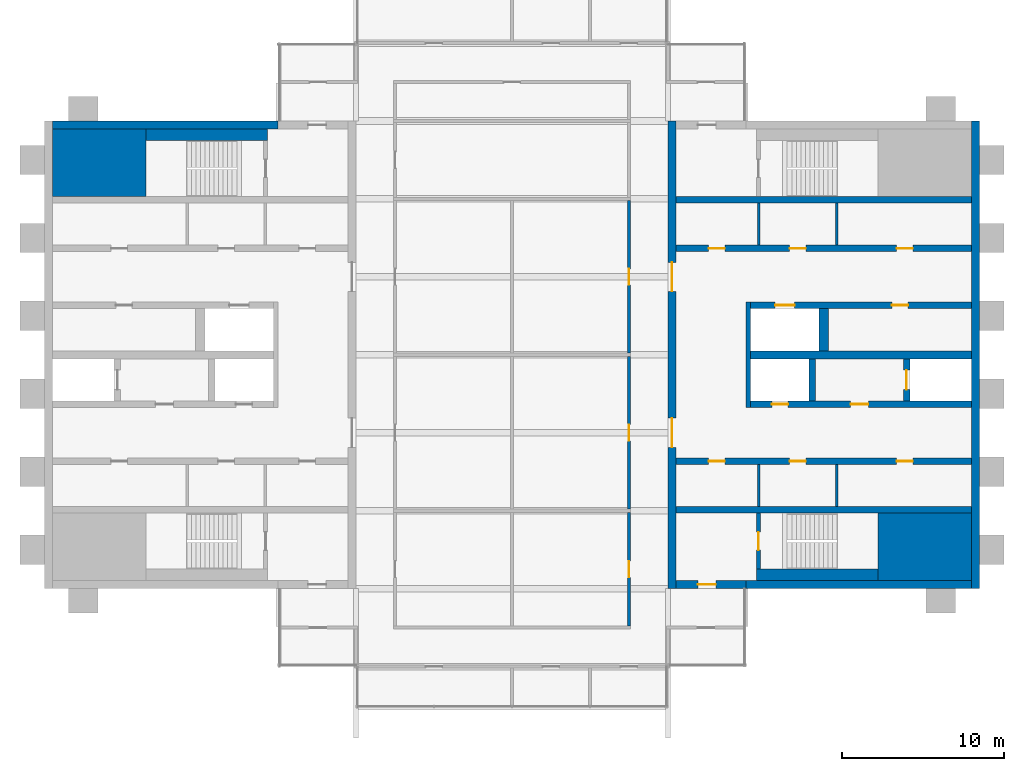
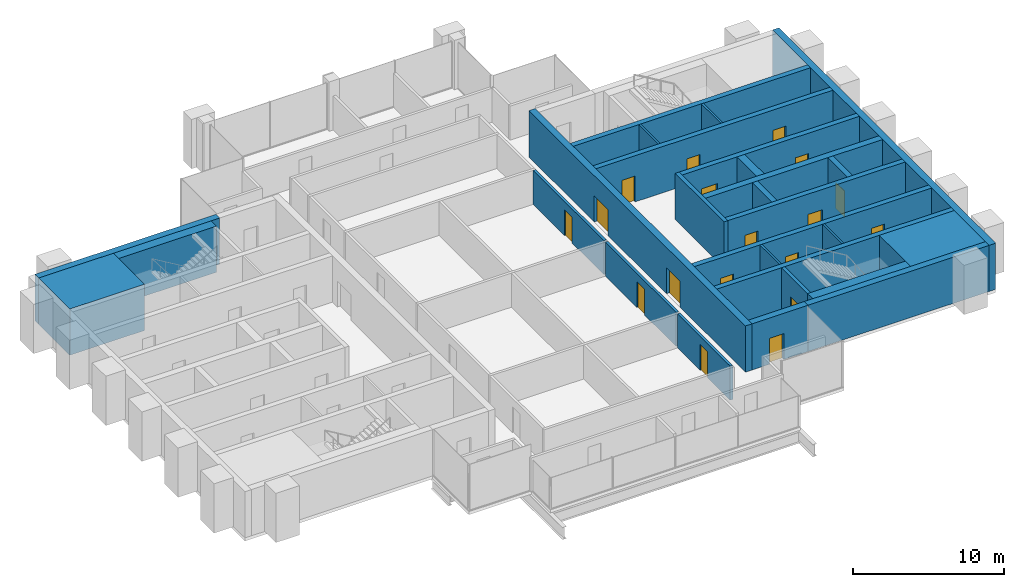
# One storey, part 9 of 12: 28 walls, 18 doors, 18 openings.
"""IFC4 building model written with IfcOpenShell, lengths in metres."""

from ifc_helpers import new_model, si_unit, direction, frame, frame_2d, origin, place, context, subcontext, project, spatial, rectangle, extrude, material, layer, layer_set, type_object, element, fill, save


model = new_model("IFC4")

# Units and contexts
model_context = context("Model", 3, precision=1e-05, world=origin(), true_north=direction((0.0, 1.0)))
body_context = subcontext(model_context, "Body", "Model", "MODEL_VIEW")
ifc_project = project(units=[si_unit("LENGTHUNIT", "METRE"), si_unit("AREAUNIT", "SQUARE_METRE"), si_unit("VOLUMEUNIT", "CUBIC_METRE"), si_unit("PLANEANGLEUNIT", "RADIAN"), si_unit("MASSUNIT", "GRAM", prefix="KILO")], contexts=[model_context])

# Site, building, storey
site_placement = place(None, origin())
site = spatial("IfcSite", under=ifc_project, at=site_placement, CompositionType="ELEMENT")
building_placement = place(site_placement, origin())
building = spatial("IfcBuilding", under=site, at=building_placement, Name="Baori Bourse Tower", CompositionType="ELEMENT")
storey_placement = place(building_placement, frame((0.0, 0.0, 362.300048828125)))
storey = spatial("IfcBuildingStorey", under=building, at=storey_placement, Name="L81", CompositionType="ELEMENT", Elevation=362.300048828125)

# Walls
ifc_material_1 = material(Name="Concrete f'c 40 MPa", Category="concrete")
wall_type_1 = type_object("IfcWallType", Name="Core corner block f'c 40", PredefinedType="SHEAR", material=ifc_material_1)
for number, where, z_axis, x_axis, name in (
    (1, (0.5, 35.824951171875, 0.0), (0.0, 0.0, 1.0), (1.0, 0.0, 0.0), "Core wall W23"),
    (2, (51.35009765625, 12.175048828125, 0.0), (0.0, 0.0, 1.0), (1.0, 0.0, 0.0), "Core wall E05"),
):
    element("IfcWall", number, at=place(storey_placement, frame(where, z_axis=z_axis, x_axis=x_axis)), inside=storey, type_object=wall_type_1, Name=name, PredefinedType="SHEAR", context=body_context, shape_type="SweptSolid", body=[
        extrude(rectangle(XDim=5.75, YDim=4.14990234375, at=frame_2d((2.875, 0.0))), origin(), (0.0, 0.0, 1.0), 3.75),
    ])
ifc_material_2 = material(Name="Blockwork partition", Category="masonry")
ifc_layer_1 = layer(ifc_material_2, 0.14990234375)
ifc_layer_set_1 = layer_set([ifc_layer_1], Name="Core partition 150")
wall_type_2 = type_object("IfcWallType", Name="Core partition 150", PredefinedType="PARTITIONING", material=ifc_layer_set_1)
for number, where, z_axis, x_axis, name in (
    (3, (48.800048828125, 14.64990234375, 0.0), (0.0, 0.0, 1.0), (0.0, 1.0, 0.0), "Partition wall E09"),
    (4, (44.0, 14.64990234375, 0.0), (0.0, 0.0, 1.0), (0.0, 1.0, 0.0), "Partition wall E10"),
    (5, (48.800048828125, 30.75, 0.0), (0.0, 0.0, 1.0), (0.0, 1.0, 0.0), "Partition wall E20"),
    (6, (44.0, 30.75, 0.0), (0.0, 0.0, 1.0), (0.0, 1.0, 0.0), "Partition wall E21"),
):
    element("IfcWall", number, at=place(storey_placement, frame(where, z_axis=z_axis, x_axis=x_axis)), inside=storey, type_object=wall_type_2, Name=name, PredefinedType="PARTITIONING", context=body_context, shape_type="SweptSolid", body=[
        extrude(rectangle(XDim=2.60009765625, YDim=0.14990234375, at=frame_2d((1.300048828125, 0.0))), origin(), (0.0, 0.0, 1.0), 3.75),
    ])
ifc_material_3 = material(Name="Concrete f'c 40 MPa", Category="concrete")
ifc_layer_2 = layer(ifc_material_3, 0.5)
ifc_layer_set_2 = layer_set([ifc_layer_2], Name="Core wall 500 f'c 40")
wall_type_3 = type_object("IfcWallType", Name="Core wall 500 f'c 40", PredefinedType="SHEAR", material=ifc_layer_set_2)
wall_1_placement = place(storey_placement, frame((0.5, 38.14990234375, 0.0), z_axis=(0.0, 0.0, 1.0), x_axis=(1.0, 0.0, 0.0)))
element("IfcWall", 7, at=wall_1_placement, inside=storey, type_object=wall_type_3, Name="Core wall W26", PredefinedType="SHEAR", context=body_context, shape_type="SweptSolid", body=[
    extrude(rectangle(XDim=13.89990234375, YDim=0.5, at=frame_2d((6.949951171875, 0.0))), origin(), (0.0, 0.0, 1.0), 3.75),
])
wall_2_placement = place(storey_placement, frame((57.35009765625, 38.39990234375, 0.0), z_axis=(0.0, 0.0, 1.0), x_axis=(0.0, -1.0, 0.0)))
element("IfcWall", 8, at=wall_2_placement, inside=storey, type_object=wall_type_3, Name="Core wall E01", PredefinedType="SHEAR", context=body_context, shape_type="SweptSolid", body=[
    extrude(rectangle(XDim=28.7998046875, YDim=0.5, at=frame_2d((14.39990234375, 0.0))), origin(), (0.0, 0.0, 1.0), 3.75),
])
wall_3_placement = place(storey_placement, frame((57.10009765625, 9.85009765625, 0.0), z_axis=(0.0, 0.0, 1.0), x_axis=(-1.0, 0.0, 0.0)))
element("IfcWall", 9, at=wall_3_placement, inside=storey, type_object=wall_type_3, Name="Core wall E02", PredefinedType="SHEAR", context=body_context, shape_type="SweptSolid", body=[
    extrude(rectangle(XDim=13.900146484375, YDim=0.5, at=frame_2d((6.9501953125, 0.0))), origin(), (0.0, 0.0, 1.0), 3.75),
])

# Wall, opening, door
wall_4_placement = place(storey_placement, frame((43.199951171875, 9.85009765625, 0.0), z_axis=(0.0, 0.0, 1.0), x_axis=(-1.0, 0.0, 0.0)))
wall_4 = element("IfcWall", 10, at=wall_4_placement, inside=storey, type_object=wall_type_3, Name="Core wall E03", PredefinedType="SHEAR", context=body_context, shape_type="SweptSolid", body=[
    extrude(rectangle(XDim=4.300048828125, YDim=0.5, at=frame_2d((2.14990234375, 0.0))), origin(), (0.0, 0.0, 1.0), 3.75),
])
opening_1_placement = place(wall_4_placement, frame((1.85009765625, 0.0, 0.0)))
opening_1 = element("IfcOpeningElement", 11, at=opening_1_placement, cuts=wall_4, Name="Opening L81-D202", PredefinedType="OPENING", context=body_context, shape_type="SweptSolid", body=[
    extrude(rectangle(XDim=1.10009765625, YDim=2.10009765625, at=frame_2d((0.550048828125, 1.050048828125))), frame((0.0, 0.260009765625, 0.0), z_axis=(0.0, -1.0, 0.0), x_axis=(1.0, 0.0, 0.0)), (0.0, 0.0, 1.0), 0.52001953125),
])
ifc_material_4 = material(Name="Painted steel door", Category="steel")
door_type_1 = type_object("IfcDoorType", Name="Stair door 1100", OperationType="SINGLE_SWING_LEFT", PredefinedType="DOOR", material=ifc_material_4)
door_1_placement = place(opening_1_placement, origin())
door_1 = element("IfcDoor", 12, at=door_1_placement, inside=storey, type_object=door_type_1, Name="Stair vestibule door A E L81", OperationType="SINGLE_SWING_LEFT", OverallHeight=2.10009765625, OverallWidth=1.10009765625, PredefinedType="DOOR", context=body_context, shape_type="SweptSolid", body=[
    extrude(rectangle(XDim=1.10009765625, YDim=2.10009765625, at=frame_2d((0.550048828125, 1.050048828125))), frame((0.0, 0.02490234375, 0.0), z_axis=(0.0, -1.0, 0.0), x_axis=(1.0, 0.0, 0.0)), (0.0, 0.0, 1.0), 0.050048828125),
])
fill(opening_1, door_1)

# Wall, openings, doors
wall_5_placement = place(storey_placement, frame((38.64990234375, 9.60009765625, 0.0), z_axis=(0.0, 0.0, 1.0), x_axis=(0.0, 1.0, 0.0)))
wall_5 = element("IfcWall", 13, at=wall_5_placement, inside=storey, type_object=wall_type_3, Name="Core wall E04", PredefinedType="SHEAR", context=body_context, shape_type="SweptSolid", body=[
    extrude(rectangle(XDim=28.7998046875, YDim=0.5, at=frame_2d((14.39990234375, 0.0))), origin(), (0.0, 0.0, 1.0), 3.75),
])
opening_2_placement = place(wall_5_placement, frame((8.699951171875, 0.0, 0.0)))
opening_2 = element("IfcOpeningElement", 14, at=opening_2_placement, cuts=wall_5, Name="Opening L81-D207", PredefinedType="OPENING", context=body_context, shape_type="SweptSolid", body=[
    extrude(rectangle(XDim=1.800048828125, YDim=2.10009765625, at=frame_2d((0.89990234375, 1.050048828125))), frame((0.0, 0.260009765625, 0.0), z_axis=(0.0, -1.0, 0.0), x_axis=(1.0, 0.0, 0.0)), (0.0, 0.0, 1.0), 0.52001953125),
])
opening_3_placement = place(wall_5_placement, frame((18.300048828125, 0.0, 0.0)))
opening_3 = element("IfcOpeningElement", 15, at=opening_3_placement, cuts=wall_5, Name="Opening L81-D208", PredefinedType="OPENING", context=body_context, shape_type="SweptSolid", body=[
    extrude(rectangle(XDim=1.800048828125, YDim=2.10009765625, at=frame_2d((0.89990234375, 1.050048828125))), frame((0.0, 0.260009765625, 0.0), z_axis=(0.0, -1.0, 0.0), x_axis=(1.0, 0.0, 0.0)), (0.0, 0.0, 1.0), 0.52001953125),
])
ifc_material_5 = material(Name="Painted steel door", Category="steel")
door_type_2 = type_object("IfcDoorType", Name="Core lobby door 1800", OperationType="DOUBLE_DOOR_SINGLE_SWING", PredefinedType="DOOR", material=ifc_material_5)
door_2_placement = place(opening_2_placement, origin())
door_2 = element("IfcDoor", 16, at=door_2_placement, inside=storey, type_object=door_type_2, Name="Lobby door E L81", OperationType="DOUBLE_DOOR_SINGLE_SWING", OverallHeight=2.10009765625, OverallWidth=1.800048828125, PredefinedType="DOOR", context=body_context, shape_type="SweptSolid", body=[
    extrude(rectangle(XDim=1.800048828125, YDim=2.10009765625, at=frame_2d((0.89990234375, 1.050048828125))), frame((0.0, 0.02490234375, 0.0), z_axis=(0.0, -1.0, 0.0), x_axis=(1.0, 0.0, 0.0)), (0.0, 0.0, 1.0), 0.050048828125),
])
fill(opening_2, door_2)
door_3_placement = place(opening_3_placement, origin())
door_3 = element("IfcDoor", 17, at=door_3_placement, inside=storey, type_object=door_type_2, Name="Lobby door E L81", OperationType="DOUBLE_DOOR_SINGLE_SWING", OverallHeight=2.10009765625, OverallWidth=1.800048828125, PredefinedType="DOOR", context=body_context, shape_type="SweptSolid", body=[
    extrude(rectangle(XDim=1.800048828125, YDim=2.10009765625, at=frame_2d((0.89990234375, 1.050048828125))), frame((0.0, 0.02490234375, 0.0), z_axis=(0.0, -1.0, 0.0), x_axis=(1.0, 0.0, 0.0)), (0.0, 0.0, 1.0), 0.050048828125),
])
fill(opening_3, door_3)

# Wall, opening, door
ifc_material_6 = material(Name="Gypsum board partition")
ifc_layer_3 = layer(ifc_material_6, 0.199951171875)
ifc_layer_set_3 = layer_set([ifc_layer_3], Name="Plant room wall 200")
wall_type_4 = type_object("IfcWallType", Name="Plant room wall 200", PredefinedType="PARTITIONING", material=ifc_layer_set_3)
wall_6_placement = place(storey_placement, frame((36.0, 7.300048828125, 0.0), z_axis=(0.0, 0.0, 1.0), x_axis=(0.0, 1.0, 0.0)))
wall_6 = element("IfcWall", 18, at=wall_6_placement, inside=storey, type_object=wall_type_4, Name="Partition", PredefinedType="PARTITIONING", context=body_context, shape_type="SweptSolid", body=[
    extrude(rectangle(XDim=7.0, YDim=0.199951171875, at=frame_2d((3.5, 0.0))), origin(), (0.0, 0.0, 1.0), 2.75927734375),
])
opening_4_placement = place(wall_6_placement, frame((3.0, 0.0, 0.0)))
opening_4 = element("IfcOpeningElement", 19, at=opening_4_placement, cuts=wall_6, Name="Opening L81-D16", PredefinedType="OPENING", context=body_context, shape_type="SweptSolid", body=[
    extrude(rectangle(XDim=1.0, YDim=2.10009765625, at=frame_2d((0.5, 1.050048828125))), frame((0.0, 0.10986328125, 0.0), z_axis=(0.0, -1.0, 0.0), x_axis=(1.0, 0.0, 0.0)), (0.0, 0.0, 1.0), 0.219970703125),
])
ifc_material_7 = material(Name="Timber door leaf", Category="wood")
door_type_3 = type_object("IfcDoorType", Name="Door 1000 x 2100", OperationType="SINGLE_SWING_LEFT", PredefinedType="DOOR", material=ifc_material_7)
door_4_placement = place(opening_4_placement, origin())
door_4 = element("IfcDoor", 20, at=door_4_placement, inside=storey, type_object=door_type_3, Name="Door", OperationType="SINGLE_SWING_LEFT", OverallHeight=2.10009765625, OverallWidth=1.0, PredefinedType="DOOR", context=body_context, shape_type="SweptSolid", body=[
    extrude(rectangle(XDim=1.0, YDim=2.10009765625, at=frame_2d((0.5, 1.050048828125))), frame((0.0, 0.02490234375, 0.0), z_axis=(0.0, -1.0, 0.0), x_axis=(1.0, 0.0, 0.0)), (0.0, 0.0, 1.0), 0.050048828125),
])
fill(opening_4, door_4)

wall_7_placement = place(storey_placement, frame((36.0, 14.5, 0.0), z_axis=(0.0, 0.0, 1.0), x_axis=(0.0, 1.0, 0.0)))
wall_7 = element("IfcWall", 21, at=wall_7_placement, inside=storey, type_object=wall_type_4, Name="Partition", PredefinedType="PARTITIONING", context=body_context, shape_type="SweptSolid", body=[
    extrude(rectangle(XDim=9.39990234375, YDim=0.199951171875, at=frame_2d((4.699951171875, 0.0))), origin(), (0.0, 0.0, 1.0), 2.75927734375),
])
opening_5_placement = place(wall_7_placement, frame((4.199951171875, 0.0, 0.0)))
opening_5 = element("IfcOpeningElement", 22, at=opening_5_placement, cuts=wall_7, Name="Opening L81-D17", PredefinedType="OPENING", context=body_context, shape_type="SweptSolid", body=[
    extrude(rectangle(XDim=1.0, YDim=2.10009765625, at=frame_2d((0.5, 1.050048828125))), frame((0.0, 0.10986328125, 0.0), z_axis=(0.0, -1.0, 0.0), x_axis=(1.0, 0.0, 0.0)), (0.0, 0.0, 1.0), 0.219970703125),
])
door_5_placement = place(opening_5_placement, origin())
door_5 = element("IfcDoor", 23, at=door_5_placement, inside=storey, type_object=door_type_3, Name="Door", OperationType="SINGLE_SWING_RIGHT", OverallHeight=2.10009765625, OverallWidth=1.0, PredefinedType="DOOR", context=body_context, shape_type="SweptSolid", body=[
    extrude(rectangle(XDim=1.0, YDim=2.10009765625, at=frame_2d((0.5, 1.050048828125))), frame((0.0, 0.02490234375, 0.0), z_axis=(0.0, -1.0, 0.0), x_axis=(1.0, 0.0, 0.0)), (0.0, 0.0, 1.0), 0.050048828125),
])
fill(opening_5, door_5)

wall_8_placement = place(storey_placement, frame((36.0, 24.10009765625, 0.0), z_axis=(0.0, 0.0, 1.0), x_axis=(0.0, 1.0, 0.0)))
wall_8 = element("IfcWall", 24, at=wall_8_placement, inside=storey, type_object=wall_type_4, Name="Partition", PredefinedType="PARTITIONING", context=body_context, shape_type="SweptSolid", body=[
    extrude(rectangle(XDim=9.39990234375, YDim=0.199951171875, at=frame_2d((4.699951171875, 0.0))), origin(), (0.0, 0.0, 1.0), 2.75927734375),
])
opening_6_placement = place(wall_8_placement, frame((4.199951171875, 0.0, 0.0)))
opening_6 = element("IfcOpeningElement", 25, at=opening_6_placement, cuts=wall_8, Name="Opening L81-D18", PredefinedType="OPENING", context=body_context, shape_type="SweptSolid", body=[
    extrude(rectangle(XDim=1.0, YDim=2.10009765625, at=frame_2d((0.5, 1.050048828125))), frame((0.0, 0.10986328125, 0.0), z_axis=(0.0, -1.0, 0.0), x_axis=(1.0, 0.0, 0.0)), (0.0, 0.0, 1.0), 0.219970703125),
])
door_6_placement = place(opening_6_placement, origin())
door_6 = element("IfcDoor", 26, at=door_6_placement, inside=storey, type_object=door_type_3, Name="Door", OperationType="SINGLE_SWING_RIGHT", OverallHeight=2.10009765625, OverallWidth=1.0, PredefinedType="DOOR", context=body_context, shape_type="SweptSolid", body=[
    extrude(rectangle(XDim=1.0, YDim=2.10009765625, at=frame_2d((0.5, 1.050048828125))), frame((0.0, 0.02490234375, 0.0), z_axis=(0.0, -1.0, 0.0), x_axis=(1.0, 0.0, 0.0)), (0.0, 0.0, 1.0), 0.050048828125),
])
fill(opening_6, door_6)

ifc_material_8 = material(Name="Concrete f'c 40 MPa", Category="concrete")
ifc_layer_4 = layer(ifc_material_8, 0.25)
ifc_layer_set_4 = layer_set([ifc_layer_4], Name="Shaft wall 250 f'c 40")
wall_type_5 = type_object("IfcWallType", Name="Shaft wall 250 f'c 40", PredefinedType="SHEAR", material=ifc_layer_set_4)
wall_9_placement = place(storey_placement, frame((43.97509765625, 10.800048828125, 0.0), z_axis=(0.0, 0.0, 1.0), x_axis=(0.0, 1.0, 0.0)))
wall_9 = element("IfcWall", 27, at=wall_9_placement, inside=storey, type_object=wall_type_5, Name="Core wall E07", PredefinedType="SHEAR", context=body_context, shape_type="SweptSolid", body=[
    extrude(rectangle(XDim=3.449951171875, YDim=0.25, at=frame_2d((1.72509765625, 0.0))), origin(), (0.0, 0.0, 1.0), 3.75),
])
opening_7_placement = place(wall_9_placement, frame((1.175048828125, 0.0, 0.0)))
opening_7 = element("IfcOpeningElement", 28, at=opening_7_placement, cuts=wall_9, Name="Opening L81-D201", PredefinedType="OPENING", context=body_context, shape_type="SweptSolid", body=[
    extrude(rectangle(XDim=1.10009765625, YDim=2.10009765625, at=frame_2d((0.550048828125, 1.050048828125))), frame((0.0, 0.135009765625, 0.0), z_axis=(0.0, -1.0, 0.0), x_axis=(1.0, 0.0, 0.0)), (0.0, 0.0, 1.0), 0.27001953125),
])
door_7_placement = place(opening_7_placement, origin())
door_7 = element("IfcDoor", 29, at=door_7_placement, inside=storey, type_object=door_type_1, Name="Stair door A E L81", OperationType="SINGLE_SWING_LEFT", OverallHeight=2.10009765625, OverallWidth=1.10009765625, PredefinedType="DOOR", context=body_context, shape_type="SweptSolid", body=[
    extrude(rectangle(XDim=1.10009765625, YDim=2.10009765625, at=frame_2d((0.550048828125, 1.050048828125))), frame((0.0, 0.02490234375, 0.0), z_axis=(0.0, -1.0, 0.0), x_axis=(1.0, 0.0, 0.0)), (0.0, 0.0, 1.0), 0.050048828125),
])
fill(opening_7, door_7)

# Walls
ifc_material_9 = material(Name="Concrete f'c 40 MPa", Category="concrete")
ifc_layer_5 = layer(ifc_material_9, 0.300048828125)
ifc_layer_set_5 = layer_set([ifc_layer_5], Name="Shaft wall 300 f'c 40")
wall_type_6 = type_object("IfcWallType", Name="Shaft wall 300 f'c 40", PredefinedType="SHEAR", material=ifc_layer_set_5)
wall_10_placement = place(storey_placement, frame((43.35009765625, 20.75, 0.0), z_axis=(0.0, 0.0, 1.0), x_axis=(0.0, 1.0, 0.0)))
element("IfcWall", 30, at=wall_10_placement, inside=storey, type_object=wall_type_6, Name="Core wall E13", PredefinedType="SHEAR", context=body_context, shape_type="SweptSolid", body=[
    extrude(rectangle(XDim=6.5, YDim=0.300048828125, at=frame_2d((3.25, 0.0))), origin(), (0.0, 0.0, 1.0), 3.75),
])
ifc_material_10 = material(Name="Concrete f'c 40 MPa", Category="concrete")
ifc_layer_6 = layer(ifc_material_10, 0.39990234375)
ifc_layer_set_6 = layer_set([ifc_layer_6], Name="Shaft wall 400 f'c 40")
wall_type_7 = type_object("IfcWallType", Name="Shaft wall 400 f'c 40", PredefinedType="SHEAR", material=ifc_layer_set_6)
wall_11_placement = place(storey_placement, frame((38.89990234375, 14.449951171875, 0.0), z_axis=(0.0, 0.0, 1.0), x_axis=(1.0, 0.0, 0.0)))
element("IfcWall", 31, at=wall_11_placement, inside=storey, type_object=wall_type_7, Name="Core wall E08", PredefinedType="SHEAR", context=body_context, shape_type="SweptSolid", body=[
    extrude(rectangle(XDim=18.2001953125, YDim=0.39990234375, at=frame_2d((9.10009765625, 0.0))), origin(), (0.0, 0.0, 1.0), 3.75),
])

# Wall, openings, doors
wall_12_placement = place(storey_placement, frame((38.89990234375, 17.449951171875, 0.0), z_axis=(0.0, 0.0, 1.0), x_axis=(1.0, 0.0, 0.0)))
wall_12 = element("IfcWall", 32, at=wall_12_placement, inside=storey, type_object=wall_type_7, Name="Core wall E11", PredefinedType="SHEAR", context=body_context, shape_type="SweptSolid", body=[
    extrude(rectangle(XDim=18.2001953125, YDim=0.39990234375, at=frame_2d((9.10009765625, 0.0))), origin(), (0.0, 0.0, 1.0), 3.75),
])
opening_8_placement = place(wall_12_placement, frame((13.58740234375, 0.0, 0.0)))
opening_8 = element("IfcOpeningElement", 33, at=opening_8_placement, cuts=wall_12, Name="Opening L81-D212", PredefinedType="OPENING", context=body_context, shape_type="SweptSolid", body=[
    extrude(rectangle(XDim=1.0, YDim=2.10009765625, at=frame_2d((0.5, 1.050048828125))), frame((0.0, 0.2099609375, 0.0), z_axis=(0.0, -1.0, 0.0), x_axis=(1.0, 0.0, 0.0)), (0.0, 0.0, 1.0), 0.419921875),
])
opening_9_placement = place(wall_12_placement, frame((7.0, 0.0, 0.0)))
opening_9 = element("IfcOpeningElement", 34, at=opening_9_placement, cuts=wall_12, Name="Opening L81-D213", PredefinedType="OPENING", context=body_context, shape_type="SweptSolid", body=[
    extrude(rectangle(XDim=1.0, YDim=2.10009765625, at=frame_2d((0.5, 1.050048828125))), frame((0.0, 0.2099609375, 0.0), z_axis=(0.0, -1.0, 0.0), x_axis=(1.0, 0.0, 0.0)), (0.0, 0.0, 1.0), 0.419921875),
])
opening_10_placement = place(wall_12_placement, frame((2.012451171875, 0.0, 0.0)))
opening_10 = element("IfcOpeningElement", 35, at=opening_10_placement, cuts=wall_12, Name="Opening L81-D214", PredefinedType="OPENING", context=body_context, shape_type="SweptSolid", body=[
    extrude(rectangle(XDim=1.0, YDim=2.10009765625, at=frame_2d((0.5, 1.050048828125))), frame((0.0, 0.2099609375, 0.0), z_axis=(0.0, -1.0, 0.0), x_axis=(1.0, 0.0, 0.0)), (0.0, 0.0, 1.0), 0.419921875),
])
ifc_material_11 = material(Name="Painted steel door", Category="steel")
door_type_4 = type_object("IfcDoorType", Name="Plant room door 1000", OperationType="SINGLE_SWING_LEFT", PredefinedType="DOOR", material=ifc_material_11)
door_8_placement = place(opening_8_placement, origin())
door_8 = element("IfcDoor", 36, at=door_8_placement, inside=storey, type_object=door_type_4, Name="Air Handling Fan Room door E L81", OperationType="SINGLE_SWING_LEFT", OverallHeight=2.10009765625, OverallWidth=1.0, PredefinedType="DOOR", context=body_context, shape_type="SweptSolid", body=[
    extrude(rectangle(XDim=1.0, YDim=2.10009765625, at=frame_2d((0.5, 1.050048828125))), frame((0.0, 0.02490234375, 0.0), z_axis=(0.0, -1.0, 0.0), x_axis=(1.0, 0.0, 0.0)), (0.0, 0.0, 1.0), 0.050048828125),
])
fill(opening_8, door_8)
door_9_placement = place(opening_9_placement, origin())
door_9 = element("IfcDoor", 37, at=door_9_placement, inside=storey, type_object=door_type_4, Name="Electrical Room door E L81", OperationType="SINGLE_SWING_LEFT", OverallHeight=2.10009765625, OverallWidth=1.0, PredefinedType="DOOR", context=body_context, shape_type="SweptSolid", body=[
    extrude(rectangle(XDim=1.0, YDim=2.10009765625, at=frame_2d((0.5, 1.050048828125))), frame((0.0, 0.02490234375, 0.0), z_axis=(0.0, -1.0, 0.0), x_axis=(1.0, 0.0, 0.0)), (0.0, 0.0, 1.0), 0.050048828125),
])
fill(opening_9, door_9)
door_10_placement = place(opening_10_placement, origin())
door_10 = element("IfcDoor", 38, at=door_10_placement, inside=storey, type_object=door_type_4, Name="Mechanical Room door E L81", OperationType="SINGLE_SWING_LEFT", OverallHeight=2.10009765625, OverallWidth=1.0, PredefinedType="DOOR", context=body_context, shape_type="SweptSolid", body=[
    extrude(rectangle(XDim=1.0, YDim=2.10009765625, at=frame_2d((0.5, 1.050048828125))), frame((0.0, 0.02490234375, 0.0), z_axis=(0.0, -1.0, 0.0), x_axis=(1.0, 0.0, 0.0)), (0.0, 0.0, 1.0), 0.050048828125),
])
fill(opening_10, door_10)

wall_13_placement = place(storey_placement, frame((43.5, 20.949951171875, 0.0), z_axis=(0.0, 0.0, 1.0), x_axis=(1.0, 0.0, 0.0)))
wall_13 = element("IfcWall", 39, at=wall_13_placement, inside=storey, type_object=wall_type_7, Name="Core wall E12", PredefinedType="SHEAR", context=body_context, shape_type="SweptSolid", body=[
    extrude(rectangle(XDim=13.60009765625, YDim=0.39990234375, at=frame_2d((6.800048828125, 0.0))), origin(), (0.0, 0.0, 1.0), 3.75),
])
opening_11_placement = place(wall_13_placement, frame((6.14990234375, 0.0, 0.0)))
opening_11 = element("IfcOpeningElement", 40, at=opening_11_placement, cuts=wall_13, Name="Opening L81-D205", PredefinedType="OPENING", context=body_context, shape_type="SweptSolid", body=[
    extrude(rectangle(XDim=1.10009765625, YDim=2.10009765625, at=frame_2d((0.550048828125, 1.050048828125))), frame((0.0, 0.2099609375, 0.0), z_axis=(0.0, -1.0, 0.0), x_axis=(1.0, 0.0, 0.0)), (0.0, 0.0, 1.0), 0.419921875),
])
opening_12_placement = place(wall_13_placement, frame((1.300048828125, 0.0, 0.0)))
opening_12 = element("IfcOpeningElement", 41, at=opening_12_placement, cuts=wall_13, Name="Opening L81-D206", PredefinedType="OPENING", context=body_context, shape_type="SweptSolid", body=[
    extrude(rectangle(XDim=1.0, YDim=2.10009765625, at=frame_2d((0.5, 1.050048828125))), frame((0.0, 0.2099609375, 0.0), z_axis=(0.0, -1.0, 0.0), x_axis=(1.0, 0.0, 0.0)), (0.0, 0.0, 1.0), 0.419921875),
])
ifc_material_12 = material(Name="Painted steel door", Category="steel")
door_type_5 = type_object("IfcDoorType", Name="Lobby door 1100", OperationType="SINGLE_SWING_LEFT", PredefinedType="DOOR", material=ifc_material_12)
door_11_placement = place(opening_11_placement, origin())
door_11 = element("IfcDoor", 42, at=door_11_placement, inside=storey, type_object=door_type_5, Name="Firefighting lobby door E L81", OperationType="SINGLE_SWING_LEFT", OverallHeight=2.10009765625, OverallWidth=1.10009765625, PredefinedType="DOOR", context=body_context, shape_type="SweptSolid", body=[
    extrude(rectangle(XDim=1.10009765625, YDim=2.10009765625, at=frame_2d((0.550048828125, 1.050048828125))), frame((0.0, 0.02490234375, 0.0), z_axis=(0.0, -1.0, 0.0), x_axis=(1.0, 0.0, 0.0)), (0.0, 0.0, 1.0), 0.050048828125),
])
fill(opening_11, door_11)
ifc_material_13 = material(Name="Painted steel door", Category="steel")
door_type_6 = type_object("IfcDoorType", Name="Shaft door 1000", OperationType="SINGLE_SWING_LEFT", PredefinedType="DOOR", material=ifc_material_13)
door_12_placement = place(opening_12_placement, origin())
door_12 = element("IfcDoor", 43, at=door_12_placement, inside=storey, type_object=door_type_6, Name="Riser room door E L81", OperationType="SINGLE_SWING_LEFT", OverallHeight=2.10009765625, OverallWidth=1.0, PredefinedType="DOOR", context=body_context, shape_type="SweptSolid", body=[
    extrude(rectangle(XDim=1.0, YDim=2.10009765625, at=frame_2d((0.5, 1.050048828125))), frame((0.0, 0.02490234375, 0.0), z_axis=(0.0, -1.0, 0.0), x_axis=(1.0, 0.0, 0.0)), (0.0, 0.0, 1.0), 0.050048828125),
])
fill(opening_12, door_12)

# Wall, opening, door
wall_14_placement = place(storey_placement, frame((53.10009765625, 21.14990234375, 0.0), z_axis=(0.0, 0.0, 1.0), x_axis=(0.0, 1.0, 0.0)))
wall_14 = element("IfcWall", 44, at=wall_14_placement, inside=storey, type_object=wall_type_7, Name="Core wall E14", PredefinedType="SHEAR", context=body_context, shape_type="SweptSolid", body=[
    extrude(rectangle(XDim=2.60009765625, YDim=0.39990234375, at=frame_2d((1.300048828125, 0.0))), origin(), (0.0, 0.0, 1.0), 3.75),
])
opening_13_placement = place(wall_14_placement, frame((0.699951171875, 0.0, 0.0)))
opening_13 = element("IfcOpeningElement", 45, at=opening_13_placement, cuts=wall_14, Name="Opening L81-D217", PredefinedType="OPENING", context=body_context, shape_type="SweptSolid", body=[
    extrude(rectangle(XDim=1.199951171875, YDim=2.10009765625, at=frame_2d((0.60009765625, 1.050048828125))), frame((0.0, 0.2099609375, 0.0), z_axis=(0.0, -1.0, 0.0), x_axis=(1.0, 0.0, 0.0)), (0.0, 0.0, 1.0), 0.419921875),
])
ifc_material_14 = material(Name="Stainless steel door", Category="steel")
door_type_7 = type_object("IfcDoorType", Name="Lift landing door", OperationType="DOUBLE_DOOR_SLIDING", PredefinedType="DOOR", material=ifc_material_14)
door_13_placement = place(opening_13_placement, origin())
door_13 = element("IfcDoor", 46, at=door_13_placement, inside=storey, type_object=door_type_7, Name="Lift landing door FF2 E L81", OperationType="DOUBLE_DOOR_SLIDING", OverallHeight=2.10009765625, OverallWidth=1.199951171875, PredefinedType="DOOR", context=body_context, shape_type="SweptSolid", body=[
    extrude(rectangle(XDim=1.199951171875, YDim=2.10009765625, at=frame_2d((0.60009765625, 1.050048828125))), frame((0.0, 0.02490234375, 0.0), z_axis=(0.0, -1.0, 0.0), x_axis=(1.0, 0.0, 0.0)), (0.0, 0.0, 1.0), 0.050048828125),
])
fill(opening_13, door_13)

# Wall
wall_15_placement = place(storey_placement, frame((47.300048828125, 21.14990234375, 0.0), z_axis=(0.0, 0.0, 1.0), x_axis=(0.0, 1.0, 0.0)))
element("IfcWall", 47, at=wall_15_placement, inside=storey, type_object=wall_type_7, Name="Core wall E15", PredefinedType="SHEAR", context=body_context, shape_type="SweptSolid", body=[
    extrude(rectangle(XDim=2.60009765625, YDim=0.39990234375, at=frame_2d((1.300048828125, 0.0))), origin(), (0.0, 0.0, 1.0), 3.75),
])

# Wall, openings, doors
wall_16_placement = place(storey_placement, frame((43.5, 27.050048828125, 0.0), z_axis=(0.0, 0.0, 1.0), x_axis=(1.0, 0.0, 0.0)))
wall_16 = element("IfcWall", 48, at=wall_16_placement, inside=storey, type_object=wall_type_7, Name="Core wall E18", PredefinedType="SHEAR", context=body_context, shape_type="SweptSolid", body=[
    extrude(rectangle(XDim=13.60009765625, YDim=0.39990234375, at=frame_2d((6.800048828125, 0.0))), origin(), (0.0, 0.0, 1.0), 3.75),
])
opening_14_placement = place(wall_16_placement, frame((8.699951171875, 0.0, 0.0)))
opening_14 = element("IfcOpeningElement", 49, at=opening_14_placement, cuts=wall_16, Name="Opening L81-D215", PredefinedType="OPENING", context=body_context, shape_type="SweptSolid", body=[
    extrude(rectangle(XDim=1.0, YDim=2.10009765625, at=frame_2d((0.5, 1.050048828125))), frame((0.0, 0.2099609375, 0.0), z_axis=(0.0, -1.0, 0.0), x_axis=(1.0, 0.0, 0.0)), (0.0, 0.0, 1.0), 0.419921875),
])
opening_15_placement = place(wall_16_placement, frame((1.5, 0.0, 0.0)))
opening_15 = element("IfcOpeningElement", 50, at=opening_15_placement, cuts=wall_16, Name="Opening L81-D216", PredefinedType="OPENING", context=body_context, shape_type="SweptSolid", body=[
    extrude(rectangle(XDim=1.199951171875, YDim=2.10009765625, at=frame_2d((0.60009765625, 1.050048828125))), frame((0.0, 0.2099609375, 0.0), z_axis=(0.0, -1.0, 0.0), x_axis=(1.0, 0.0, 0.0)), (0.0, 0.0, 1.0), 0.419921875),
])
door_14_placement = place(opening_15_placement, origin())
door_14 = element("IfcDoor", 51, at=door_14_placement, inside=storey, type_object=door_type_7, Name="Lift landing door SV1 E L81", OperationType="DOUBLE_DOOR_SLIDING", OverallHeight=2.10009765625, OverallWidth=1.199951171875, PredefinedType="DOOR", context=body_context, shape_type="SweptSolid", body=[
    extrude(rectangle(XDim=1.199951171875, YDim=2.10009765625, at=frame_2d((0.60009765625, 1.050048828125))), frame((0.0, 0.02490234375, 0.0), z_axis=(0.0, -1.0, 0.0), x_axis=(1.0, 0.0, 0.0)), (0.0, 0.0, 1.0), 0.050048828125),
])
fill(opening_15, door_14)
door_15_placement = place(opening_14_placement, origin())
door_15 = element("IfcDoor", 52, at=door_15_placement, inside=storey, type_object=door_type_4, Name="Plant Room door E L81", OperationType="SINGLE_SWING_LEFT", OverallHeight=2.10009765625, OverallWidth=1.0, PredefinedType="DOOR", context=body_context, shape_type="SweptSolid", body=[
    extrude(rectangle(XDim=1.0, YDim=2.10009765625, at=frame_2d((0.5, 1.050048828125))), frame((0.0, 0.02490234375, 0.0), z_axis=(0.0, -1.0, 0.0), x_axis=(1.0, 0.0, 0.0)), (0.0, 0.0, 1.0), 0.050048828125),
])
fill(opening_14, door_15)

wall_17_placement = place(storey_placement, frame((38.89990234375, 30.550048828125, 0.0), z_axis=(0.0, 0.0, 1.0), x_axis=(1.0, 0.0, 0.0)))
wall_17 = element("IfcWall", 53, at=wall_17_placement, inside=storey, type_object=wall_type_7, Name="Core wall E19", PredefinedType="SHEAR", context=body_context, shape_type="SweptSolid", body=[
    extrude(rectangle(XDim=18.2001953125, YDim=0.39990234375, at=frame_2d((9.10009765625, 0.0))), origin(), (0.0, 0.0, 1.0), 3.75),
])
opening_16_placement = place(wall_17_placement, frame((13.58740234375, 0.0, 0.0)))
opening_16 = element("IfcOpeningElement", 54, at=opening_16_placement, cuts=wall_17, Name="Opening L81-D209", PredefinedType="OPENING", context=body_context, shape_type="SweptSolid", body=[
    extrude(rectangle(XDim=1.0, YDim=2.10009765625, at=frame_2d((0.5, 1.050048828125))), frame((0.0, 0.2099609375, 0.0), z_axis=(0.0, -1.0, 0.0), x_axis=(1.0, 0.0, 0.0)), (0.0, 0.0, 1.0), 0.419921875),
])
opening_17_placement = place(wall_17_placement, frame((7.0, 0.0, 0.0)))
opening_17 = element("IfcOpeningElement", 55, at=opening_17_placement, cuts=wall_17, Name="Opening L81-D210", PredefinedType="OPENING", context=body_context, shape_type="SweptSolid", body=[
    extrude(rectangle(XDim=1.0, YDim=2.10009765625, at=frame_2d((0.5, 1.050048828125))), frame((0.0, 0.2099609375, 0.0), z_axis=(0.0, -1.0, 0.0), x_axis=(1.0, 0.0, 0.0)), (0.0, 0.0, 1.0), 0.419921875),
])
opening_18_placement = place(wall_17_placement, frame((2.012451171875, 0.0, 0.0)))
opening_18 = element("IfcOpeningElement", 56, at=opening_18_placement, cuts=wall_17, Name="Opening L81-D211", PredefinedType="OPENING", context=body_context, shape_type="SweptSolid", body=[
    extrude(rectangle(XDim=1.0, YDim=2.10009765625, at=frame_2d((0.5, 1.050048828125))), frame((0.0, 0.2099609375, 0.0), z_axis=(0.0, -1.0, 0.0), x_axis=(1.0, 0.0, 0.0)), (0.0, 0.0, 1.0), 0.419921875),
])
door_16_placement = place(opening_16_placement, origin())
door_16 = element("IfcDoor", 57, at=door_16_placement, inside=storey, type_object=door_type_4, Name="Air Handling Fan Room door E L81", OperationType="SINGLE_SWING_LEFT", OverallHeight=2.10009765625, OverallWidth=1.0, PredefinedType="DOOR", context=body_context, shape_type="SweptSolid", body=[
    extrude(rectangle(XDim=1.0, YDim=2.10009765625, at=frame_2d((0.5, 1.050048828125))), frame((0.0, 0.02490234375, 0.0), z_axis=(0.0, -1.0, 0.0), x_axis=(1.0, 0.0, 0.0)), (0.0, 0.0, 1.0), 0.050048828125),
])
fill(opening_16, door_16)
door_17_placement = place(opening_17_placement, origin())
door_17 = element("IfcDoor", 58, at=door_17_placement, inside=storey, type_object=door_type_4, Name="Electrical Room door E L81", OperationType="SINGLE_SWING_LEFT", OverallHeight=2.10009765625, OverallWidth=1.0, PredefinedType="DOOR", context=body_context, shape_type="SweptSolid", body=[
    extrude(rectangle(XDim=1.0, YDim=2.10009765625, at=frame_2d((0.5, 1.050048828125))), frame((0.0, 0.02490234375, 0.0), z_axis=(0.0, -1.0, 0.0), x_axis=(1.0, 0.0, 0.0)), (0.0, 0.0, 1.0), 0.050048828125),
])
fill(opening_17, door_17)
door_18_placement = place(opening_18_placement, origin())
door_18 = element("IfcDoor", 59, at=door_18_placement, inside=storey, type_object=door_type_4, Name="Mechanical Room door E L81", OperationType="SINGLE_SWING_LEFT", OverallHeight=2.10009765625, OverallWidth=1.0, PredefinedType="DOOR", context=body_context, shape_type="SweptSolid", body=[
    extrude(rectangle(XDim=1.0, YDim=2.10009765625, at=frame_2d((0.5, 1.050048828125))), frame((0.0, 0.02490234375, 0.0), z_axis=(0.0, -1.0, 0.0), x_axis=(1.0, 0.0, 0.0)), (0.0, 0.0, 1.0), 0.050048828125),
])
fill(opening_18, door_18)

# Walls
wall_18_placement = place(storey_placement, frame((38.89990234375, 33.550048828125, 0.0), z_axis=(0.0, 0.0, 1.0), x_axis=(1.0, 0.0, 0.0)))
element("IfcWall", 60, at=wall_18_placement, inside=storey, type_object=wall_type_7, Name="Core wall E22", PredefinedType="SHEAR", context=body_context, shape_type="SweptSolid", body=[
    extrude(rectangle(XDim=18.2001953125, YDim=0.39990234375, at=frame_2d((9.10009765625, 0.0))), origin(), (0.0, 0.0, 1.0), 3.75),
])
ifc_material_15 = material(Name="Concrete f'c 40 MPa", Category="concrete")
ifc_layer_7 = layer(ifc_material_15, 0.5)
ifc_layer_set_7 = layer_set([ifc_layer_7], Name="Shaft wall 500 f'c 40")
wall_type_8 = type_object("IfcWallType", Name="Shaft wall 500 f'c 40", PredefinedType="SHEAR", material=ifc_layer_set_7)
wall_19_placement = place(storey_placement, frame((43.5, 24.0, 0.0), z_axis=(0.0, 0.0, 1.0), x_axis=(1.0, 0.0, 0.0)))
element("IfcWall", 61, at=wall_19_placement, inside=storey, type_object=wall_type_8, Name="Core wall E16", PredefinedType="SHEAR", context=body_context, shape_type="SweptSolid", body=[
    extrude(rectangle(XDim=13.60009765625, YDim=0.5, at=frame_2d((6.800048828125, 0.0))), origin(), (0.0, 0.0, 1.0), 3.75),
])
ifc_material_16 = material(Name="Concrete f'c 40 MPa", Category="concrete")
ifc_layer_8 = layer(ifc_material_16, 0.60009765625)
ifc_layer_set_8 = layer_set([ifc_layer_8], Name="Shaft wall 600 f'c 40")
wall_type_9 = type_object("IfcWallType", Name="Shaft wall 600 f'c 40", PredefinedType="SHEAR", material=ifc_layer_set_8)
wall_20_placement = place(storey_placement, frame((48.0, 24.25, 0.0), z_axis=(0.0, 0.0, 1.0), x_axis=(0.0, 1.0, 0.0)))
element("IfcWall", 62, at=wall_20_placement, inside=storey, type_object=wall_type_9, Name="Core wall E17", PredefinedType="SHEAR", context=body_context, shape_type="SweptSolid", body=[
    extrude(rectangle(XDim=2.60009765625, YDim=0.60009765625, at=frame_2d((1.300048828125, 0.0))), origin(), (0.0, 0.0, 1.0), 3.75),
])
ifc_material_17 = material(Name="Concrete f'c 40 MPa", Category="concrete")
ifc_layer_9 = layer(ifc_material_17, 0.699951171875)
ifc_layer_set_9 = layer_set([ifc_layer_9], Name="Shaft wall 700 f'c 40")
wall_type_10 = type_object("IfcWallType", Name="Shaft wall 700 f'c 40", PredefinedType="SHEAR", material=ifc_layer_set_9)
for number, where, z_axis, x_axis, name in (
    (63, (6.25, 37.550048828125, 0.0), (0.0, 0.0, 1.0), (1.0, 0.0, 0.0), "Core wall W25"),
    (64, (43.85009765625, 10.449951171875, 0.0), (0.0, 0.0, 1.0), (1.0, 0.0, 0.0), "Core wall E06"),
):
    element("IfcWall", number, at=place(storey_placement, frame(where, z_axis=z_axis, x_axis=x_axis)), inside=storey, type_object=wall_type_10, Name=name, PredefinedType="SHEAR", context=body_context, shape_type="SweptSolid", body=[
        extrude(rectangle(XDim=7.5, YDim=0.699951171875, at=frame_2d((3.75, 0.0))), origin(), (0.0, 0.0, 1.0), 3.75),
    ])

save(model, "model.ifc")
